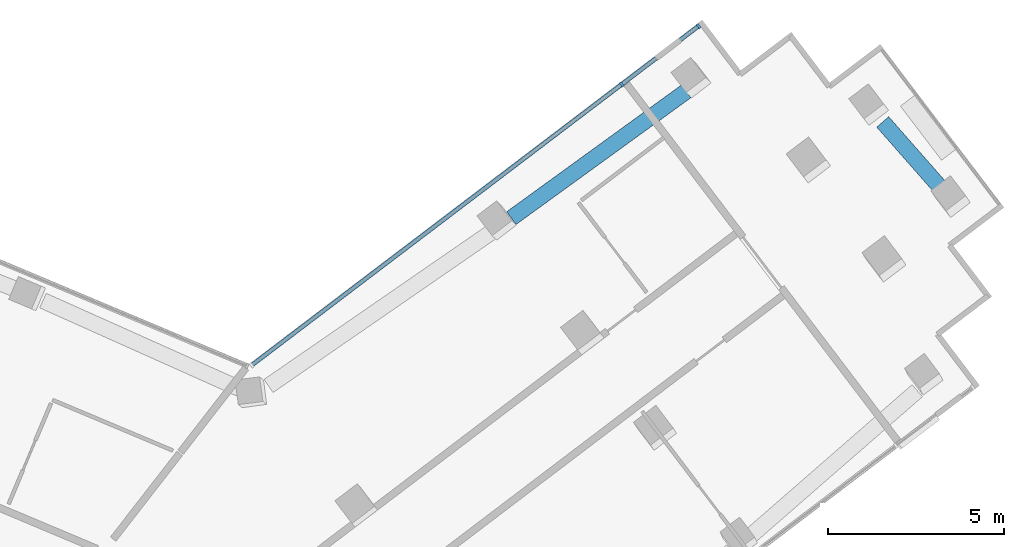
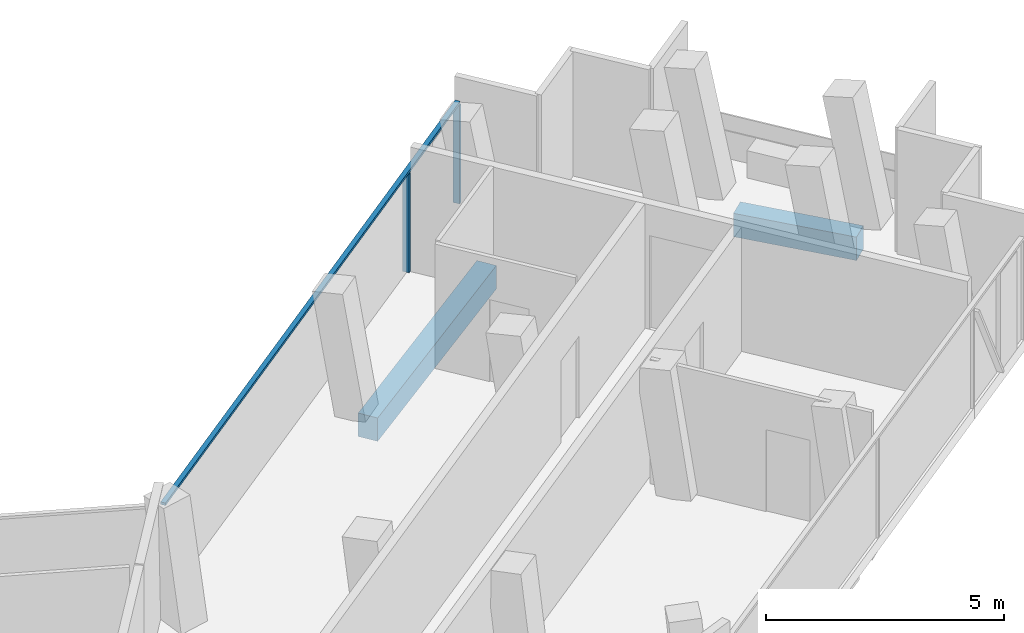
# One storey, part 11 of 26: 3 members, 2 beams, 1 element without a shape of its own.
"""IFC4 building model written with IfcOpenShell, lengths in metres."""

from ifc_helpers import new_model, si_unit, direction, frame, origin, origin_2d, place, context, subcontext, project, spatial, rectangle, extrude, material, layer, layer_set, material_profile, profile_set, type_object, element, aggregate, save


model = new_model("IFC4")

# Units and contexts
model_context = context("Model", 3, precision=1e-05, world=origin(), true_north=direction((0.0, 1.0)))
body_context = subcontext(model_context, "Body", "Model", "MODEL_VIEW")
ifc_project = project(units=[si_unit("LENGTHUNIT", "METRE"), si_unit("AREAUNIT", "SQUARE_METRE"), si_unit("VOLUMEUNIT", "CUBIC_METRE"), si_unit("PLANEANGLEUNIT", "RADIAN"), si_unit("MASSUNIT", "GRAM", prefix="KILO")], contexts=[model_context])

# Site, building, storey
site_placement = place(None, origin())
site = spatial("IfcSite", under=ifc_project, at=site_placement, CompositionType="ELEMENT")
building_placement = place(site_placement, origin())
building = spatial("IfcBuilding", under=site, at=building_placement, Name="Verdalira Terraces Hotel", CompositionType="ELEMENT")
storey_placement = place(building_placement, frame((0.0, 0.0, 306.5)))
storey = spatial("IfcBuildingStorey", under=building, at=storey_placement, Name="L76", CompositionType="ELEMENT", Elevation=306.5)

# Curtain wall, members
ifc_material_1 = material(Name="Clear glass", Category="glass")
ifc_layer = layer(ifc_material_1, 0.14990234375)
ifc_layer_set = layer_set([ifc_layer], Name="CW2 curtain wall")
curtain_wall_type = type_object("IfcCurtainWallType", Name="CW2 curtain wall", PredefinedType="NOTDEFINED", material=ifc_layer_set)
curtain_wall_placement = place(storey_placement, origin())
curtain_wall = element("IfcCurtainWall", 1, at=curtain_wall_placement, inside=storey, type_object=curtain_wall_type, Name="CW2 curtain wall L76 edge 38", PredefinedType="NOTDEFINED")
ifc_material_2 = material(Name="Terracotta frame", Category="masonry")
ifc_material_profile_1 = material_profile(ifc_material_2, rectangle(XDim=0.070068, YDim=0.149902, at=origin_2d()), Name="MU 70x150")
ifc_profile_set_1 = profile_set([ifc_material_profile_1], Name="Terracotta frame")
member_type_1 = type_object("IfcMemberType", Name="CW2 mullion 70x150", PredefinedType="MULLION", material=ifc_profile_set_1)
member_1_placement = place(storey_placement, frame((28.128662, 29.416992, 0.0), z_axis=(0.0, 0.0, 1.0), x_axis=(-0.796529918, -0.604599115, 0.0)))
member_1 = element("IfcMember", 2, at=member_1_placement, type_object=member_type_1, Name="CW2 mullion", PredefinedType="MULLION", context=body_context, shape_type="SweptSolid", body=[
    extrude(rectangle(XDim=0.070068, YDim=0.149902, at=origin_2d()), origin(), (0.0, 0.0, 1.0), 2.524902),
])
member_2_placement = place(storey_placement, frame((25.950195, 27.763428, 0.0), z_axis=(0.0, 0.0, 1.0), x_axis=(-0.796529918, -0.604599115, 0.0)))
member_2 = element("IfcMember", 3, at=member_2_placement, type_object=member_type_1, Name="CW2 mullion", PredefinedType="MULLION", context=body_context, shape_type="SweptSolid", body=[
    extrude(rectangle(XDim=0.070068, YDim=0.149902, at=origin_2d()), origin(), (0.0, 0.0, 1.0), 2.524902),
])
ifc_material_3 = material(Name="Terracotta frame", Category="masonry")
ifc_material_profile_2 = material_profile(ifc_material_3, rectangle(XDim=0.11499, YDim=0.064941, at=origin_2d()), Name="TR 65x115")
ifc_profile_set_2 = profile_set([ifc_material_profile_2], Name="Terracotta frame")
member_type_2 = type_object("IfcMemberType", Name="CW2 transom 65x115", PredefinedType="USERDEFINED", material=ifc_profile_set_2)
member_3_placement = place(storey_placement, frame((28.156494, 29.438232, 2.557617), z_axis=(-0.796524449, -0.604606321, 0.0), x_axis=(0.604606321, -0.796524449, 0.0)))
member_3 = element("IfcMember", 4, at=member_3_placement, type_object=member_type_2, Name="CW2 transom", ObjectType="TRANSOM", PredefinedType="USERDEFINED", context=body_context, shape_type="SweptSolid", body=[
    extrude(rectangle(XDim=0.11499, YDim=0.064941, at=origin_2d()), origin(), (0.0, 0.0, 1.0), 15.967529),
])
aggregate(curtain_wall, [member_1, member_2, member_3])

# Beams
ifc_material_4 = material(Name="Concrete C40", Category="concrete")
ifc_material_profile_3 = material_profile(ifc_material_4, rectangle(XDim=0.449951, YDim=0.600098, at=origin_2d()), Name="RC 450X600")
ifc_profile_set_3 = profile_set([ifc_material_profile_3], Name="Concrete C40")
beam_type = type_object("IfcBeamType", Name="Spandrel beam RC 450X600 C40", PredefinedType="SPANDREL", material=ifc_profile_set_3)
beam_1_placement = place(storey_placement, frame((35.148193, 24.649414, -0.610107), z_axis=(-0.660085562, 0.751190423, 0.0), x_axis=(-0.751190423, -0.660085562, 0.0)))
element("IfcBeam", 5, at=beam_1_placement, inside=storey, type_object=beam_type, Name="Spandrel beam B21", PredefinedType="SPANDREL", context=body_context, shape_type="SweptSolid", body=[
    extrude(rectangle(XDim=0.449951, YDim=0.600098, at=origin_2d()), origin(), (0.0, 0.0, 1.0), 2.730713),
])
beam_2_placement = place(storey_placement, frame((27.780273, 27.568848, -0.610107), z_axis=(-0.809627031, -0.586944691, 0.0), x_axis=(0.586944691, -0.809627031, 0.0)))
element("IfcBeam", 6, at=beam_2_placement, inside=storey, type_object=beam_type, Name="Spandrel beam B22", PredefinedType="SPANDREL", context=body_context, shape_type="SweptSolid", body=[
    extrude(rectangle(XDim=0.449951, YDim=0.600098, at=origin_2d()), origin(), (0.0, 0.0, 1.0), 6.119873),
])

save(model, "model.ifc")
